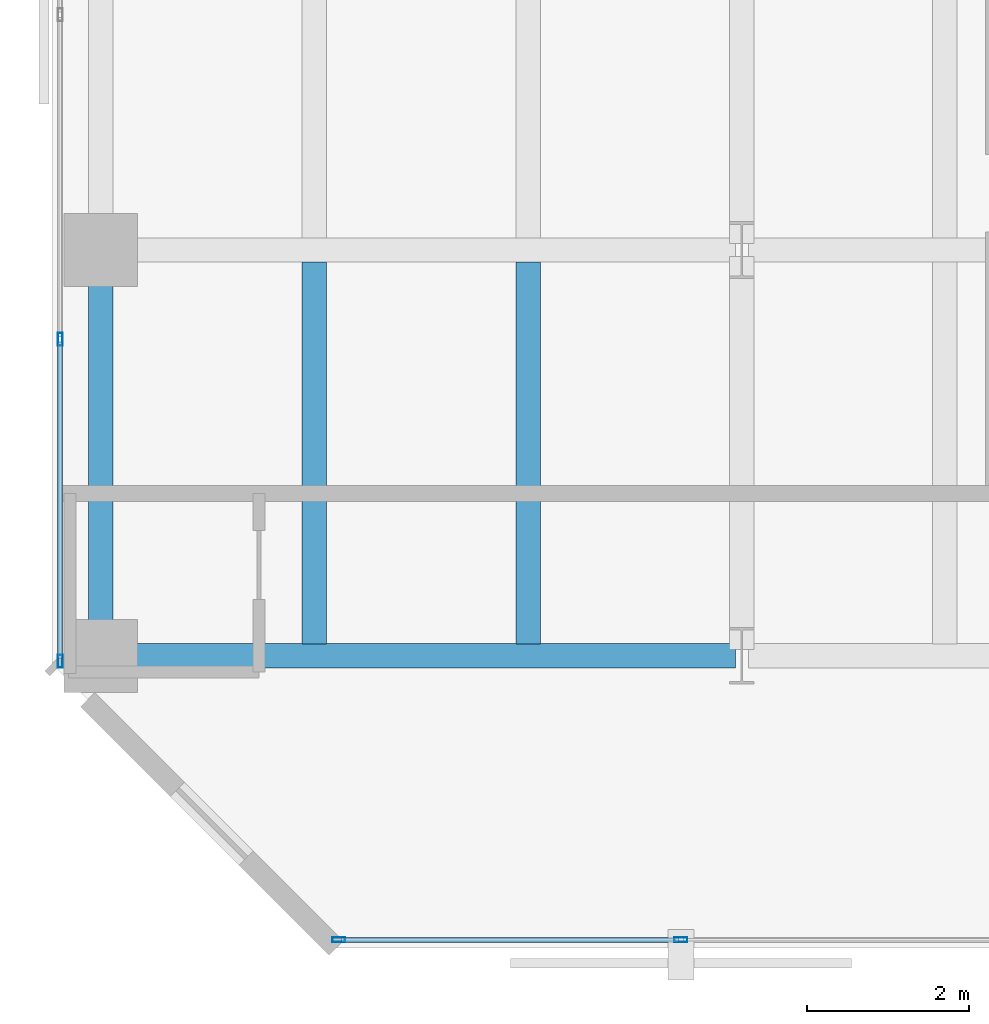
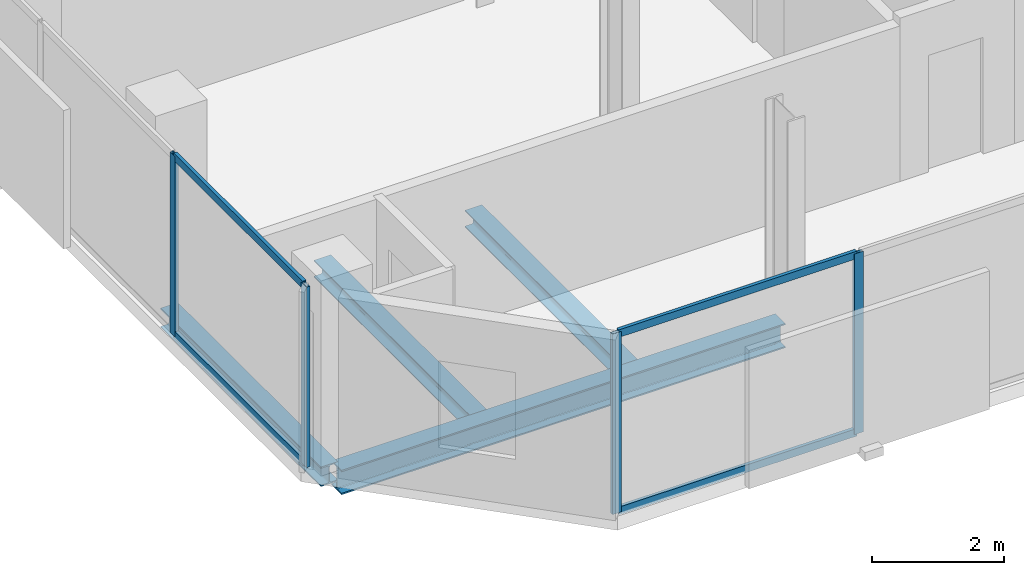
# One storey, part 3 of 34: 8 members, 4 beams, 2 elements without a shape of their own.
"""IFC4 building model written with IfcOpenShell, lengths in metres."""

from ifc_helpers import new_model, si_unit, direction, frame, origin, origin_2d, place, context, subcontext, project, spatial, hollow_rectangle, i_section, extrude, material, layer, layer_set, material_profile, profile_set, type_object, element, aggregate, save


model = new_model("IFC4")

# Units and contexts
model_context = context("Model", 3, precision=1e-05, world=origin(), true_north=direction((0.0, 1.0)))
body_context = subcontext(model_context, "Body", "Model", "MODEL_VIEW")
ifc_project = project(units=[si_unit("LENGTHUNIT", "METRE"), si_unit("AREAUNIT", "SQUARE_METRE"), si_unit("VOLUMEUNIT", "CUBIC_METRE"), si_unit("PLANEANGLEUNIT", "RADIAN"), si_unit("MASSUNIT", "GRAM", prefix="KILO")], contexts=[model_context])

# Site, building, storey
site_placement = place(None, origin())
site = spatial("IfcSite", under=ifc_project, at=site_placement, CompositionType="ELEMENT")
building_placement = place(site_placement, origin())
building = spatial("IfcBuilding", under=site, at=building_placement, Name="Catumbela Crestline Tower", CompositionType="ELEMENT")
storey_placement = place(building_placement, frame((0.0, 0.0, 111.6)))
storey = spatial("IfcBuildingStorey", under=building, at=storey_placement, Name="L28", CompositionType="ELEMENT", Elevation=111.6)

# Beams
ifc_material_1 = material(Name="Structural steel S355J2", Category="steel")
ifc_material_profile_1 = material_profile(ifc_material_1, i_section(OverallWidth=0.3, OverallDepth=0.45, WebThickness=0.014, FlangeThickness=0.026, FilletRadius=0.027, at=origin_2d()), Name="HEB 450")
ifc_profile_set_1 = profile_set([ifc_material_profile_1], Name="Structural steel S355J2")
beam_type_1 = type_object("IfcBeamType", Name="BG-HEB450", PredefinedType="BEAM", material=ifc_profile_set_1)
beam_1_placement = place(storey_placement, frame((0.68, 8.6, -0.485), z_axis=(1.0, 0.0, 0.0), x_axis=(0.0, 1.0, 0.0)))
element("IfcBeam", 1, at=beam_1_placement, inside=storey, type_object=beam_type_1, Name="L28 Beam BM-L28-WEW43", PredefinedType="BEAM", context=body_context, shape_type="SweptSolid", body=[
    extrude(i_section(OverallWidth=0.3, OverallDepth=0.45, WebThickness=0.014, FlangeThickness=0.026, FilletRadius=0.027, at=origin_2d()), origin(), (0.0, 0.0, 1.0), 7.74),
])
ifc_material_profile_2 = material_profile(ifc_material_1, i_section(OverallWidth=0.3, OverallDepth=0.31, WebThickness=0.009, FlangeThickness=0.0155, FilletRadius=0.027, at=origin_2d()), Name="HEA 320")
ifc_profile_set_2 = profile_set([ifc_material_profile_2], Name="Structural steel S355J2")
beam_type_2 = type_object("IfcBeamType", Name="BJ-HEA320", PredefinedType="JOIST", material=ifc_profile_set_2)
for number, where, z_axis, x_axis, name in (
    (2, (3.233, 8.747, -0.415), (0.0, 1.0, 0.0), (-1.0, 0.0, 0.0), "L28 Joist JS-L28-WG63"),
    (3, (5.867, 8.747, -0.415), (0.0, 1.0, 0.0), (-1.0, 0.0, 0.0), "L28 Joist JS-L28-WG64"),
):
    element("IfcBeam", number, at=place(storey_placement, frame(where, z_axis=z_axis, x_axis=x_axis)), inside=storey, type_object=beam_type_2, Name=name, PredefinedType="JOIST", context=body_context, shape_type="SweptSolid", body=[
        extrude(i_section(OverallWidth=0.3, OverallDepth=0.31, WebThickness=0.009, FlangeThickness=0.0155, FilletRadius=0.027, at=origin_2d()), origin(), (0.0, 0.0, 1.0), 4.706),
    ])

# Curtain wall, members
ifc_material_2 = material(Name="Aluminium alloy AW-6060-T66", Category="aluminium")
ifc_layer = layer(ifc_material_2, 0.18, Name="Aluminium alloy AW-6060-T66")
ifc_layer_set = layer_set([ifc_layer], Name="Aluminium alloy AW-6060-T66")
curtain_wall_type = type_object("IfcCurtainWallType", Name="CWU-Z2", PredefinedType="USERDEFINED", material=ifc_layer_set)
curtain_wall_1_placement = place(storey_placement, origin())
curtain_wall_1 = element("IfcCurtainWall", 4, at=curtain_wall_1_placement, inside=storey, type_object=curtain_wall_type, Name="L28 Unitised Curtain Wall CW-L28-E0S1", ObjectType="UNITISED", PredefinedType="USERDEFINED")
ifc_material_profile_3 = material_profile(ifc_material_2, hollow_rectangle(XDim=0.06, YDim=0.16, WallThickness=0.004, at=origin_2d()), Name="ALU 160x60x4")
ifc_profile_set_3 = profile_set([ifc_material_profile_3], Name="Aluminium alloy AW-6060-T66")
member_type_1 = type_object("IfcMemberType", Name="MUL-160X60", PredefinedType="MULLION", material=ifc_profile_set_3)
member_1_placement = place(storey_placement, frame((3.5325, 5.1, 0.0), z_axis=(0.0, 0.0, 1.0), x_axis=(0.0, 1.0, 0.0)))
member_1 = element("IfcMember", 5, at=member_1_placement, type_object=member_type_1, Name="CWU-Z2 mullion 1", PredefinedType="MULLION", context=body_context, shape_type="SweptSolid", body=[
    extrude(hollow_rectangle(XDim=0.06, YDim=0.16, WallThickness=0.004, at=origin_2d()), origin(), (0.0, 0.0, 1.0), 3.33),
])
member_2_placement = place(storey_placement, frame((7.75, 5.1, 0.0), z_axis=(0.0, 0.0, 1.0), x_axis=(0.0, 1.0, 0.0)))
member_2 = element("IfcMember", 6, at=member_2_placement, type_object=member_type_1, Name="CWU-Z2 mullion 2", PredefinedType="MULLION", context=body_context, shape_type="SweptSolid", body=[
    extrude(hollow_rectangle(XDim=0.06, YDim=0.16, WallThickness=0.004, at=origin_2d()), origin(), (0.0, 0.0, 1.0), 3.33),
])

curtain_wall_2_placement = place(storey_placement, origin())
curtain_wall_2 = element("IfcCurtainWall", 7, at=curtain_wall_2_placement, inside=storey, type_object=curtain_wall_type, Name="L28 Unitised Curtain Wall CW-L28-E9S1", ObjectType="UNITISED", PredefinedType="USERDEFINED")
member_3_placement = place(storey_placement, frame((0.1, 12.5, 0.0), z_axis=(0.0, 0.0, 1.0), x_axis=(1.0, 0.0, 0.0)))
member_3 = element("IfcMember", 8, at=member_3_placement, type_object=member_type_1, Name="CWU-Z2 mullion 9", PredefinedType="MULLION", context=body_context, shape_type="SweptSolid", body=[
    extrude(hollow_rectangle(XDim=0.06, YDim=0.16, WallThickness=0.004, at=origin_2d()), origin(), (0.0, 0.0, 1.0), 3.33),
])
member_4_placement = place(storey_placement, frame((0.1, 8.5325, 0.0), z_axis=(0.0, 0.0, 1.0), x_axis=(1.0, 0.0, 0.0)))
member_4 = element("IfcMember", 9, at=member_4_placement, type_object=member_type_1, Name="CWU-Z2 mullion 10", PredefinedType="MULLION", context=body_context, shape_type="SweptSolid", body=[
    extrude(hollow_rectangle(XDim=0.06, YDim=0.16, WallThickness=0.004, at=origin_2d()), origin(), (0.0, 0.0, 1.0), 3.33),
])

# Beam
ifc_material_profile_4 = material_profile(ifc_material_1, i_section(OverallWidth=0.3, OverallDepth=0.36, WebThickness=0.0125, FlangeThickness=0.0225, FilletRadius=0.027, at=origin_2d()), Name="HEB 360")
ifc_profile_set_4 = profile_set([ifc_material_profile_4], Name="Structural steel S355J2")
beam_type_3 = type_object("IfcBeamType", Name="BS-HEB360", PredefinedType="SPANDREL", material=ifc_profile_set_4)
beam_2_placement = place(storey_placement, frame((0.6, 8.68, -0.44), z_axis=(0.0, 1.0, 0.0), x_axis=(-1.0, 0.0, 0.0)))
element("IfcBeam", 10, at=beam_2_placement, inside=storey, type_object=beam_type_3, Name="L28 Spandrel SP-L28-WNS52", PredefinedType="SPANDREL", context=body_context, shape_type="SweptSolid", body=[
    extrude(i_section(OverallWidth=0.3, OverallDepth=0.36, WebThickness=0.0125, FlangeThickness=0.0225, FilletRadius=0.027, at=origin_2d()), origin(), (0.0, 0.0, 1.0), 4.84),
])

# Member
ifc_material_profile_5 = material_profile(ifc_material_2, hollow_rectangle(XDim=0.06, YDim=0.14, WallThickness=0.004, at=origin_2d()), Name="ALU 140x60x4")
ifc_profile_set_5 = profile_set([ifc_material_profile_5], Name="Aluminium alloy AW-6060-T66")
member_type_2 = type_object("IfcMemberType", Name="TRN-140X60", PredefinedType="USERDEFINED", material=ifc_profile_set_5)
member_5_placement = place(storey_placement, frame((3.565, 5.1, 0.03), z_axis=(1.0, 0.0, 0.0), x_axis=(0.0, 1.0, 0.0)))
member_5 = element("IfcMember", 11, at=member_5_placement, type_object=member_type_2, Name="CWU-Z2 transom 1.1", ObjectType="TRANSOM", PredefinedType="USERDEFINED", context=body_context, shape_type="SweptSolid", body=[
    extrude(hollow_rectangle(XDim=0.06, YDim=0.14, WallThickness=0.004, at=origin_2d()), origin(), (0.0, 0.0, 1.0), 4.1525),
])

member_6_placement = place(storey_placement, frame((3.565, 5.1, 3.3), z_axis=(1.0, 0.0, 0.0), x_axis=(0.0, 1.0, 0.0)))
member_6 = element("IfcMember", 12, at=member_6_placement, type_object=member_type_2, Name="CWU-Z2 transom 1.2", ObjectType="TRANSOM", PredefinedType="USERDEFINED", context=body_context, shape_type="SweptSolid", body=[
    extrude(hollow_rectangle(XDim=0.06, YDim=0.14, WallThickness=0.004, at=origin_2d()), origin(), (0.0, 0.0, 1.0), 4.1525),
])

aggregate(curtain_wall_1, [member_1, member_2, member_5, member_6])

member_7_placement = place(storey_placement, frame((0.1, 12.4675, 0.03), z_axis=(0.0, -1.0, 0.0), x_axis=(1.0, 0.0, 0.0)))
member_7 = element("IfcMember", 13, at=member_7_placement, type_object=member_type_2, Name="CWU-Z2 transom 9.1", ObjectType="TRANSOM", PredefinedType="USERDEFINED", context=body_context, shape_type="SweptSolid", body=[
    extrude(hollow_rectangle(XDim=0.06, YDim=0.14, WallThickness=0.004, at=origin_2d()), origin(), (0.0, 0.0, 1.0), 3.9025),
])

member_8_placement = place(storey_placement, frame((0.1, 12.4675, 3.3), z_axis=(0.0, -1.0, 0.0), x_axis=(1.0, 0.0, 0.0)))
member_8 = element("IfcMember", 14, at=member_8_placement, type_object=member_type_2, Name="CWU-Z2 transom 9.2", ObjectType="TRANSOM", PredefinedType="USERDEFINED", context=body_context, shape_type="SweptSolid", body=[
    extrude(hollow_rectangle(XDim=0.06, YDim=0.14, WallThickness=0.004, at=origin_2d()), origin(), (0.0, 0.0, 1.0), 3.9025),
])

aggregate(curtain_wall_2, [member_3, member_4, member_7, member_8])

save(model, "model.ifc")
